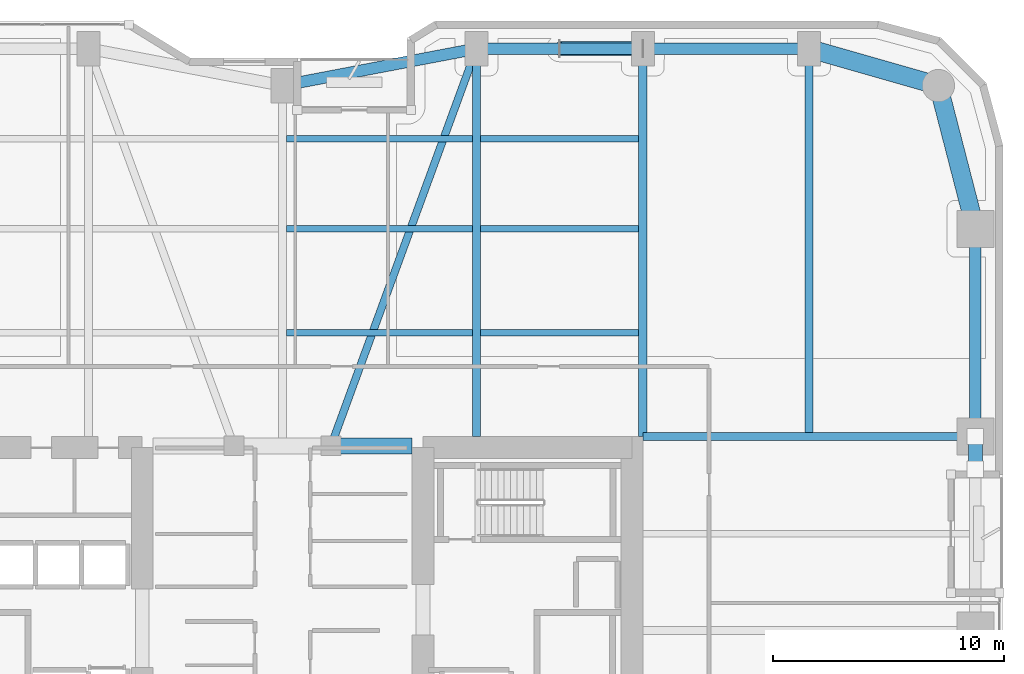
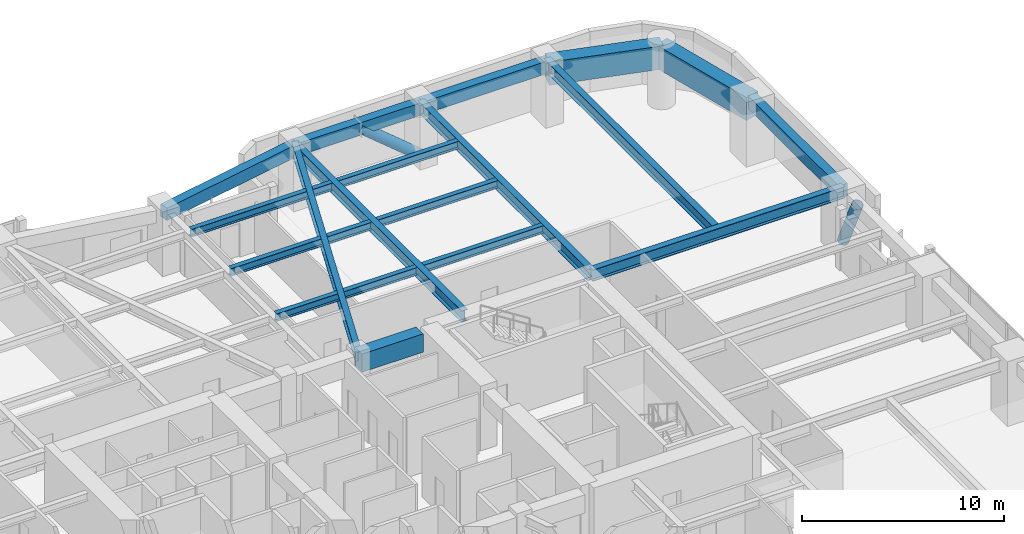
# One storey, part 18 of 28: 18 beams, 2 members.
"""IFC4 building model written with IfcOpenShell, lengths in metres."""

from ifc_helpers import new_model, si_unit, direction, frame, origin, origin_2d, place, context, subcontext, project, spatial, rectangle, hollow_circle, i_section, extrude, material, material_profile, profile_set, type_object, element, save


model = new_model("IFC4")

# Units and contexts
model_context = context("Model", 3, precision=1e-05, world=origin(), true_north=direction((0.0, 1.0)))
body_context = subcontext(model_context, "Body", "Model", "MODEL_VIEW")
ifc_project = project(units=[si_unit("LENGTHUNIT", "METRE"), si_unit("AREAUNIT", "SQUARE_METRE"), si_unit("VOLUMEUNIT", "CUBIC_METRE"), si_unit("PLANEANGLEUNIT", "RADIAN"), si_unit("MASSUNIT", "GRAM", prefix="KILO")], contexts=[model_context])

# Site, building, storey
site_placement = place(None, origin())
site = spatial("IfcSite", under=ifc_project, at=site_placement, CompositionType="ELEMENT")
building_placement = place(site_placement, origin())
building = spatial("IfcBuilding", under=site, at=building_placement, Name="Kiyonajd Concourse Tower", CompositionType="ELEMENT")
storey_placement = place(building_placement, frame((0.0, 0.0, 64.5)))
storey = spatial("IfcBuildingStorey", under=building, at=storey_placement, Name="L17", CompositionType="ELEMENT", Elevation=64.5)

# Beams
ifc_material_1 = material(Name="Concrete C70/85", Category="concrete")
ifc_material_profile_1 = material_profile(ifc_material_1, rectangle(XDim=0.699951171875, YDim=1.10009765625, at=origin_2d()), Name="RCBM-700x1100")
ifc_profile_set_1 = profile_set([ifc_material_profile_1], Name="Concrete C70/85")
beam_type_1 = type_object("IfcBeamType", Name="BM-COUP-1100", PredefinedType="LINTEL", material=ifc_profile_set_1)
beam_1_placement = place(storey_placement, frame((50.10009765625, 44.0, 3.090087890625), z_axis=(1.0, 0.0, 0.0), x_axis=(0.0, 1.0, 0.0)))
element("IfcBeam", 1, at=beam_1_placement, inside=storey, type_object=beam_type_1, Name="L17 Core Coupling Beam N3", PredefinedType="LINTEL", context=body_context, shape_type="SweptSolid", body=[
    extrude(rectangle(XDim=0.699951171875, YDim=1.10009765625, at=origin_2d()), origin(), (0.0, 0.0, 1.0), 3.5),
])
ifc_material_2 = material(Name="Steel ASTM A992 Grade 50", Category="steel")
ifc_material_profile_2 = material_profile(ifc_material_2, i_section(OverallWidth=0.280029296875, OverallDepth=0.462890625, WebThickness=0.0107421875, FlangeThickness=0.017333984375, at=origin_2d()), Name="W460X113")
ifc_profile_set_2 = profile_set([ifc_material_profile_2], Name="Steel ASTM A992 Grade 50")
beam_type_2 = type_object("IfcBeamType", Name="BM-JST-460A", PredefinedType="JOIST", material=ifc_profile_set_2)
beam_2_placement = place(storey_placement, frame((48.177490234375, 48.89990234375, 3.408447265625), z_axis=(1.0, 0.0, 0.0), x_axis=(0.0, 1.0, 0.0)))
element("IfcBeam", 2, at=beam_2_placement, inside=storey, type_object=beam_type_2, Name="L17 Secondary Floor Joist", PredefinedType="JOIST", context=body_context, shape_type="SweptSolid", body=[
    extrude(i_section(OverallWidth=0.280029296875, OverallDepth=0.462890625, WebThickness=0.0107421875, FlangeThickness=0.017333984375, at=origin_2d()), origin(), (0.0, 0.0, 1.0), 8.044921875),
])
beam_3_placement = place(storey_placement, frame((56.577392578125, 48.89990234375, 3.408447265625), z_axis=(1.0, 0.0, 0.0), x_axis=(0.0, 1.0, 0.0)))
element("IfcBeam", 3, at=beam_3_placement, inside=storey, type_object=beam_type_2, Name="L17 Secondary Floor Joist", PredefinedType="JOIST", context=body_context, shape_type="SweptSolid", body=[
    extrude(i_section(OverallWidth=0.280029296875, OverallDepth=0.462890625, WebThickness=0.0107421875, FlangeThickness=0.017333984375, at=origin_2d()), origin(), (0.0, 0.0, 1.0), 6.84521484375),
])
beam_4_placement = place(storey_placement, frame((48.177490234375, 53.39990234375, 3.408447265625), z_axis=(1.0, 0.0, 0.0), x_axis=(0.0, 1.0, 0.0)))
element("IfcBeam", 4, at=beam_4_placement, inside=storey, type_object=beam_type_2, Name="L17 Secondary Floor Joist", PredefinedType="JOIST", context=body_context, shape_type="SweptSolid", body=[
    extrude(i_section(OverallWidth=0.280029296875, OverallDepth=0.462890625, WebThickness=0.0107421875, FlangeThickness=0.017333984375, at=origin_2d()), origin(), (0.0, 0.0, 1.0), 8.044921875),
])
beam_5_placement = place(storey_placement, frame((56.577392578125, 53.39990234375, 3.408447265625), z_axis=(1.0, 0.0, 0.0), x_axis=(0.0, 1.0, 0.0)))
element("IfcBeam", 5, at=beam_5_placement, inside=storey, type_object=beam_type_2, Name="L17 Secondary Floor Joist", PredefinedType="JOIST", context=body_context, shape_type="SweptSolid", body=[
    extrude(i_section(OverallWidth=0.280029296875, OverallDepth=0.462890625, WebThickness=0.0107421875, FlangeThickness=0.017333984375, at=origin_2d()), origin(), (0.0, 0.0, 1.0), 6.84521484375),
])
beam_6_placement = place(storey_placement, frame((48.177490234375, 57.300048828125, 3.408447265625), z_axis=(1.0, 0.0, 0.0), x_axis=(0.0, 1.0, 0.0)))
element("IfcBeam", 6, at=beam_6_placement, inside=storey, type_object=beam_type_2, Name="L17 Secondary Floor Joist", PredefinedType="JOIST", context=body_context, shape_type="SweptSolid", body=[
    extrude(i_section(OverallWidth=0.280029296875, OverallDepth=0.462890625, WebThickness=0.0107421875, FlangeThickness=0.017333984375, at=origin_2d()), origin(), (0.0, 0.0, 1.0), 8.044921875),
])
beam_7_placement = place(storey_placement, frame((56.577392578125, 57.300048828125, 3.408447265625), z_axis=(1.0, 0.0, 0.0), x_axis=(0.0, 1.0, 0.0)))
element("IfcBeam", 7, at=beam_7_placement, inside=storey, type_object=beam_type_2, Name="L17 Secondary Floor Joist", PredefinedType="JOIST", context=body_context, shape_type="SweptSolid", body=[
    extrude(i_section(OverallWidth=0.280029296875, OverallDepth=0.462890625, WebThickness=0.0107421875, FlangeThickness=0.017333984375, at=origin_2d()), origin(), (0.0, 0.0, 1.0), 6.84521484375),
])
ifc_material_3 = material(Name="Precast concrete C50/60", Category="concrete")
ifc_material_profile_3 = material_profile(ifc_material_3, rectangle(XDim=0.5, YDim=0.75, at=origin_2d()), Name="RCBM-500x750")
ifc_profile_set_3 = profile_set([ifc_material_profile_3], Name="Precast concrete C50/60")
beam_type_3 = type_object("IfcBeamType", Name="BM-SPAN-RC", PredefinedType="SPANDREL", material=ifc_profile_set_3)
beam_8_placement = place(storey_placement, frame((78.0, 44.39990234375, 3.264892578125), z_axis=(0.0, 1.0, 0.0), x_axis=(-1.0, 0.0, 0.0)))
element("IfcBeam", 8, at=beam_8_placement, inside=storey, type_object=beam_type_3, Name="L17 Perimeter Bundled Tube Spandrel", PredefinedType="SPANDREL", context=body_context, shape_type="SweptSolid", body=[
    extrude(rectangle(XDim=0.5, YDim=0.75, at=origin_2d()), origin(), (0.0, 0.0, 1.0), 9.0),
])
beam_9_placement = place(storey_placement, frame((70.800048828125, 61.199951171875, 3.264892578125), z_axis=(-1.0, 0.0, 0.0), x_axis=(0.0, -1.0, 0.0)))
element("IfcBeam", 9, at=beam_9_placement, inside=storey, type_object=beam_type_3, Name="L17 Perimeter Bundled Tube Spandrel", PredefinedType="SPANDREL", context=body_context, shape_type="SweptSolid", body=[
    extrude(rectangle(XDim=0.5, YDim=0.75, at=origin_2d()), origin(), (0.0, 0.0, 1.0), 7.199951171875),
])
beam_10_placement = place(storey_placement, frame((63.60009765625, 61.199951171875, 3.264892578125), z_axis=(-1.0, 0.0, 0.0), x_axis=(0.0, -1.0, 0.0)))
element("IfcBeam", 10, at=beam_10_placement, inside=storey, type_object=beam_type_3, Name="L17 Perimeter Bundled Tube Spandrel", PredefinedType="SPANDREL", context=body_context, shape_type="SweptSolid", body=[
    extrude(rectangle(XDim=0.5, YDim=0.75, at=origin_2d()), origin(), (0.0, 0.0, 1.0), 7.2001953125),
])
beam_11_placement = place(storey_placement, frame((56.39990234375, 61.199951171875, 3.264892578125), z_axis=(-0.982341315253, -0.187097675953, 0.0), x_axis=(0.187097675953, -0.982341315253, 0.0)))
element("IfcBeam", 11, at=beam_11_placement, inside=storey, type_object=beam_type_3, Name="L17 Perimeter Bundled Tube Spandrel", PredefinedType="SPANDREL", context=body_context, shape_type="SweptSolid", body=[
    extrude(rectangle(XDim=0.5, YDim=0.75, at=origin_2d()), origin(), (0.0, 0.0, 1.0), 8.55078125),
])
ifc_material_profile_4 = material_profile(ifc_material_2, i_section(OverallWidth=0.326904296875, OverallDepth=0.6220703125, WebThickness=0.015380859375, FlangeThickness=0.0244140625, at=origin_2d()), Name="W610X195")
ifc_profile_set_4 = profile_set([ifc_material_profile_4], Name="Steel ASTM A992 Grade 50")
beam_type_4 = type_object("IfcBeamType", Name="BM-TWR-610A", PredefinedType="BEAM", material=ifc_profile_set_4)
beam_12_placement = place(storey_placement, frame((50.10009765625, 44.0, 3.3291015625), z_axis=(0.343925269715, 0.938997022813, 0.0), x_axis=(-0.938997022813, 0.343925269715, 0.0)))
element("IfcBeam", 12, at=beam_12_placement, inside=storey, type_object=beam_type_4, Name="L17 Core Tie Girder", PredefinedType="BEAM", context=body_context, shape_type="SweptSolid", body=[
    extrude(i_section(OverallWidth=0.326904296875, OverallDepth=0.6220703125, WebThickness=0.015380859375, FlangeThickness=0.0244140625, at=origin_2d()), origin(), (0.0, 0.0, 1.0), 18.3173828125),
])
ifc_material_profile_5 = material_profile(ifc_material_2, i_section(OverallWidth=0.35498046875, OverallDepth=0.695068359375, WebThickness=0.015380859375, FlangeThickness=0.02490234375, at=origin_2d()), Name="W690X217")
ifc_profile_set_5 = profile_set([ifc_material_profile_5], Name="Steel ASTM A992 Grade 50")
beam_type_5 = type_object("IfcBeamType", Name="BM-TWR-690", PredefinedType="BEAM", material=ifc_profile_set_5)
for number, where, z_axis, x_axis, name in (
    (13, (56.39990234375, 44.39990234375, 3.29248046875), (0.0, 1.0, 0.0), (-1.0, 0.0, 0.0), "L17 North Lease Girder"),
    (14, (63.60009765625, 44.39990234375, 3.29248046875), (0.0, 1.0, 0.0), (-1.0, 0.0, 0.0), "L17 North Lease Girder"),
    (15, (70.800048828125, 44.39990234375, 3.29248046875), (0.0, 1.0, 0.0), (-1.0, 0.0, 0.0), "L17 North Lease Girder"),
):
    element("IfcBeam", number, at=place(storey_placement, frame(where, z_axis=z_axis, x_axis=x_axis)), inside=storey, type_object=beam_type_5, Name=name, PredefinedType="BEAM", context=body_context, shape_type="SweptSolid", body=[
        extrude(i_section(OverallWidth=0.35498046875, OverallDepth=0.695068359375, WebThickness=0.015380859375, FlangeThickness=0.02490234375, at=origin_2d()), origin(), (0.0, 0.0, 1.0), 16.800048828125),
    ])
beam_13_placement = place(storey_placement, frame((63.60009765625, 44.39990234375, 3.29248046875), z_axis=(1.0, 0.0, 0.0), x_axis=(0.0, 1.0, 0.0)))
element("IfcBeam", 16, at=beam_13_placement, inside=storey, type_object=beam_type_5, Name="L17 East Lease Girder", PredefinedType="BEAM", context=body_context, shape_type="SweptSolid", body=[
    extrude(i_section(OverallWidth=0.35498046875, OverallDepth=0.695068359375, WebThickness=0.015380859375, FlangeThickness=0.02490234375, at=origin_2d()), origin(), (0.0, 0.0, 1.0), 14.39990234375),
])
ifc_material_4 = material(Name="Concrete C60/75", Category="concrete")
ifc_material_profile_6 = material_profile(ifc_material_4, rectangle(XDim=0.800048828125, YDim=1.39990234375, at=origin_2d()), Name="RCBM-800x1400")
ifc_profile_set_6 = profile_set([ifc_material_profile_6], Name="Concrete C60/75")
beam_type_6 = type_object("IfcBeamType", Name="BM-XFER-RC", PredefinedType="BEAM", material=ifc_profile_set_6)
beam_14_placement = place(storey_placement, frame((78.0, 53.39990234375, 2.93994140625), z_axis=(-0.249884937687, 0.968275538221, 0.0), x_axis=(-0.968275538221, -0.249884937687, 0.0)))
element("IfcBeam", 17, at=beam_14_placement, inside=storey, type_object=beam_type_6, Name="L17 Perimeter Bundled Tube Spandrel", PredefinedType="BEAM", context=body_context, shape_type="SweptSolid", body=[
    extrude(rectangle(XDim=0.800048828125, YDim=1.39990234375, at=origin_2d()), origin(), (0.0, 0.0, 1.0), 6.4033203125),
])
beam_15_placement = place(storey_placement, frame((76.39990234375, 59.60009765625, 2.93994140625), z_axis=(-0.961528693205, 0.274704517878, 0.0), x_axis=(-0.274704517878, -0.961528693205, 0.0)))
element("IfcBeam", 18, at=beam_15_placement, inside=storey, type_object=beam_type_6, Name="L17 Perimeter Bundled Tube Spandrel", PredefinedType="BEAM", context=body_context, shape_type="SweptSolid", body=[
    extrude(rectangle(XDim=0.800048828125, YDim=1.39990234375, at=origin_2d()), origin(), (0.0, 0.0, 1.0), 5.823974609375),
])

# Members
ifc_material_5 = material(Name="Steel ASTM A572 Grade 50", Category="steel")
ifc_material_profile_7 = material_profile(ifc_material_5, hollow_circle(Radius=0.304931640625, WallThickness=0.02490234375, at=origin_2d()), Name="CHS-610x25")
ifc_profile_set_7 = profile_set([ifc_material_profile_7], Name="Steel ASTM A572 Grade 50")
member_type = type_object("IfcMemberType", Name="MB-PB-LOW", PredefinedType="BRACE", material=ifc_profile_set_7)
member_1_placement = place(storey_placement, frame((63.60009765625, 61.199951171875, 0.300048828125), z_axis=(-0.769280705518, 0.0, 0.638910945373), x_axis=(0.0, -1.0, 0.0)))
element("IfcMember", 19, at=member_1_placement, inside=storey, type_object=member_type, Name="L17 Lower Zone Welded Tube Brace PBN", PredefinedType="BRACE", context=body_context, shape_type="SweptSolid", body=[
    extrude(hollow_circle(Radius=0.304931640625, WallThickness=0.02490234375, at=origin_2d()), origin(), (0.0, 0.0, 1.0), 4.679931640625),
])
member_2_placement = place(storey_placement, frame((78.0, 44.39990234375, 0.300048828125), z_axis=(0.0, -0.424022702926, 0.905651559598), x_axis=(1.0, 0.0, 0.0)))
element("IfcMember", 20, at=member_2_placement, inside=storey, type_object=member_type, Name="L17 Lower Zone Welded Tube Brace PBE", PredefinedType="BRACE", context=body_context, shape_type="SweptSolid", body=[
    extrude(hollow_circle(Radius=0.304931640625, WallThickness=0.02490234375, at=origin_2d()), origin(), (0.0, 0.0, 1.0), 3.301513671875),
])

save(model, "model.ifc")
